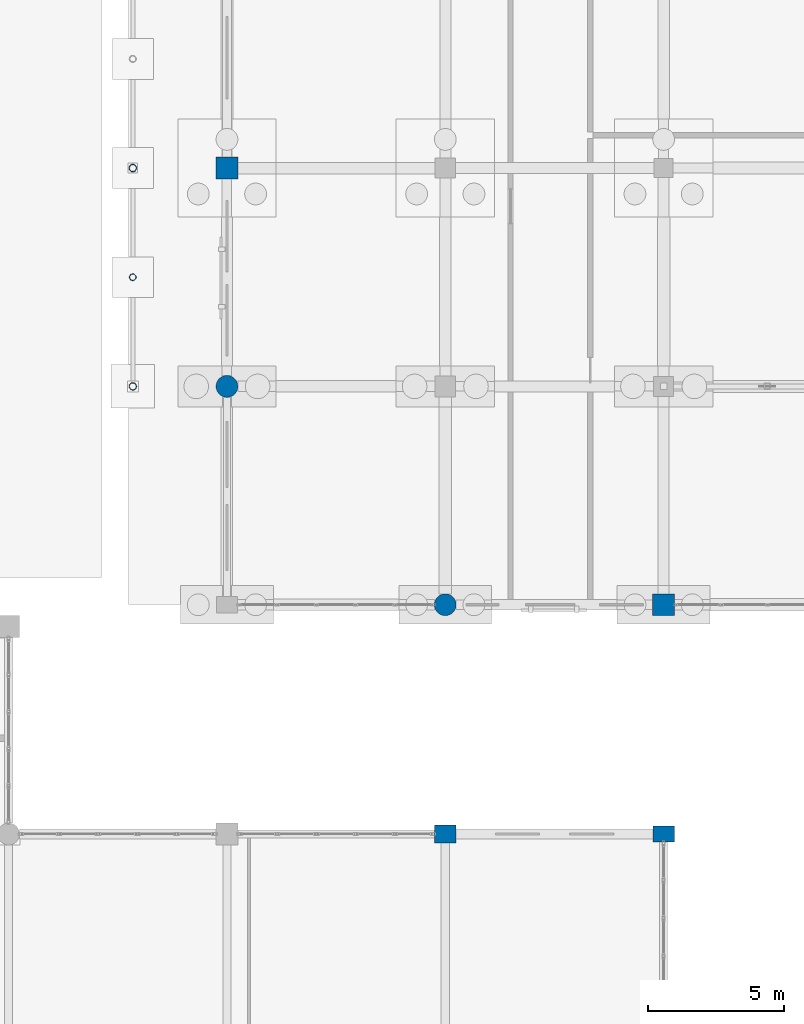
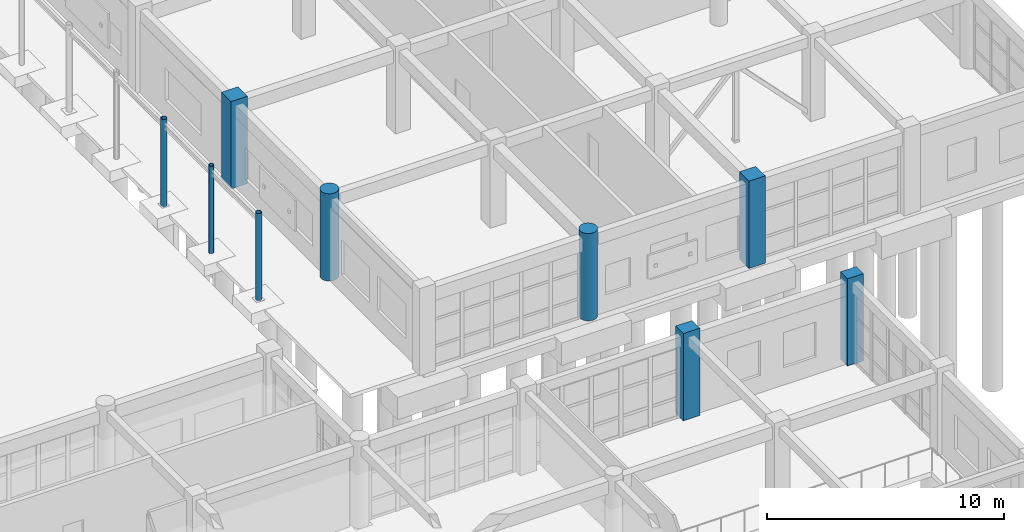
# One storey, part 42 of 166: 9 columns.
"""IFC4 building model written with IfcOpenShell, lengths in metres."""

from ifc_helpers import new_model, si_unit, direction, frame, origin, origin_2d, place, context, subcontext, project, spatial, rectangle, circle, hollow_circle, extrude, material, material_profile, profile_set, type_object, element, save


model = new_model("IFC4")

# Units and contexts
model_context = context("Model", 3, precision=1e-05, world=origin(), true_north=direction((0.0, 1.0)))
body_context = subcontext(model_context, "Body", "Model", "MODEL_VIEW")
ifc_project = project(units=[si_unit("LENGTHUNIT", "METRE"), si_unit("AREAUNIT", "SQUARE_METRE"), si_unit("VOLUMEUNIT", "CUBIC_METRE"), si_unit("PLANEANGLEUNIT", "RADIAN"), si_unit("MASSUNIT", "GRAM", prefix="KILO")], contexts=[model_context])

# Site, building, storey
site_placement = place(None, origin())
site = spatial("IfcSite", under=ifc_project, at=site_placement, CompositionType="ELEMENT")
building_placement = place(site_placement, origin())
building = spatial("IfcBuilding", under=site, at=building_placement, Name="Kharva Crest Polytechnic", CompositionType="ELEMENT")
storey_placement = place(building_placement, origin())
storey = spatial("IfcBuildingStorey", under=building, at=storey_placement, Name="L00", CompositionType="ELEMENT", Elevation=0.0)

# Columns
ifc_material_1 = material(Name="Concrete C40/50", Category="concrete")
ifc_material_profile_1 = material_profile(ifc_material_1, rectangle(XDim=0.780029296875, YDim=0.60009765625, at=origin_2d()), Name="RECT 780 X 600")
ifc_profile_set_1 = profile_set([ifc_material_profile_1], Name="Concrete C40/50")
column_type_1 = type_object("IfcColumnType", Name="COL-EXT-780X600", PredefinedType="COLUMN", material=ifc_profile_set_1)
column_1_placement = place(storey_placement, frame((168.800048828125, 30.39990234375, 0.0), z_axis=(0.0, 0.0, 1.0), x_axis=(1.0, 0.0, 0.0)))
element("IfcColumn", 1, at=column_1_placement, inside=storey, type_object=column_type_1, Name="L00 Column 22/E", PredefinedType="COLUMN", context=body_context, shape_type="SweptSolid", body=[
    extrude(rectangle(XDim=0.780029296875, YDim=0.60009765625, at=origin_2d()), origin(), (0.0, 0.0, 1.0), 4.5),
])
ifc_material_profile_2 = material_profile(ifc_material_1, rectangle(XDim=0.800048828125, YDim=0.64990234375, at=origin_2d()), Name="RECT 800 X 650")
ifc_profile_set_2 = profile_set([ifc_material_profile_2], Name="Concrete C40/50")
column_type_2 = type_object("IfcColumnType", Name="COL-EXT-800X650", PredefinedType="COLUMN", material=ifc_profile_set_2)
column_2_placement = place(storey_placement, frame((160.800048828125, 30.39990234375, 0.0), z_axis=(0.0, 0.0, 1.0), x_axis=(1.0, 0.0, 0.0)))
element("IfcColumn", 2, at=column_2_placement, inside=storey, type_object=column_type_2, Name="L00 Column 21/E", PredefinedType="COLUMN", context=body_context, shape_type="SweptSolid", body=[
    extrude(rectangle(XDim=0.800048828125, YDim=0.64990234375, at=origin_2d()), origin(), (0.0, 0.0, 1.0), 4.5),
])
ifc_material_profile_3 = material_profile(ifc_material_1, rectangle(XDim=0.800048828125, YDim=0.800048828125, at=origin_2d()), Name="RECT 800 X 800")
ifc_profile_set_3 = profile_set([ifc_material_profile_3], Name="Concrete C40/50")
column_type_3 = type_object("IfcColumnType", Name="COL-EXT-800X800", PredefinedType="COLUMN", material=ifc_profile_set_3)
for number, where, z_axis, x_axis, name in (
    (3, (152.800048828125, 54.800048828125, 0.0), (0.0, 0.0, 1.0), (1.0, 0.0, 0.0), "L00 Column 20/H"),
    (4, (168.800048828125, 38.800048828125, 0.0), (0.0, 0.0, 1.0), (1.0, 0.0, 0.0), "L00 Column 22/FJ"),
):
    element("IfcColumn", number, at=place(storey_placement, frame(where, z_axis=z_axis, x_axis=x_axis)), inside=storey, type_object=column_type_3, Name=name, PredefinedType="COLUMN", context=body_context, shape_type="SweptSolid", body=[
        extrude(rectangle(XDim=0.800048828125, YDim=0.800048828125, at=origin_2d()), origin(), (0.0, 0.0, 1.0), 4.5),
    ])
ifc_material_profile_4 = material_profile(ifc_material_1, circle(Radius=0.39990234375, at=origin_2d()), Name="DIA 800")
ifc_profile_set_4 = profile_set([ifc_material_profile_4], Name="Concrete C40/50")
column_type_4 = type_object("IfcColumnType", Name="COL-EXT-DIA800", PredefinedType="COLUMN", material=ifc_profile_set_4)
for number, where, z_axis, x_axis, name in (
    (5, (152.800048828125, 46.800048828125, 0.0), (0.0, 0.0, 1.0), (1.0, 0.0, 0.0), "L00 Column 20/G"),
    (6, (160.800048828125, 38.800048828125, 0.0), (0.0, 0.0, 1.0), (1.0, 0.0, 0.0), "L00 Column 21/FJ"),
):
    element("IfcColumn", number, at=place(storey_placement, frame(where, z_axis=z_axis, x_axis=x_axis)), inside=storey, type_object=column_type_4, Name=name, PredefinedType="COLUMN", context=body_context, shape_type="SweptSolid", body=[
        extrude(circle(Radius=0.39990234375, at=origin_2d()), origin(), (0.0, 0.0, 1.0), 4.5),
    ])
ifc_material_2 = material(Name="Steel S355", Category="steel")
ifc_material_profile_5 = material_profile(ifc_material_2, hollow_circle(Radius=0.122314453125, WallThickness=0.010009765625, at=origin_2d()), Name="CHS 244.5X10.0")
ifc_profile_set_5 = profile_set([ifc_material_profile_5], Name="Steel S355")
column_type_5 = type_object("IfcColumnType", Name="COL-STL-CHS244", PredefinedType="COLUMN", material=ifc_profile_set_5)
column_3_placement = place(storey_placement, frame((149.35009765625, 50.800048828125, 0.0), z_axis=(0.0, 0.0, 1.0), x_axis=(1.0, 0.0, 0.0)))
element("IfcColumn", 7, at=column_3_placement, inside=storey, type_object=column_type_5, Name="L00 Colonnade Mid Column VEM01", PredefinedType="COLUMN", context=body_context, shape_type="SweptSolid", body=[
    extrude(hollow_circle(Radius=0.122314453125, WallThickness=0.010009765625, at=origin_2d()), origin(), (0.0, 0.0, 1.0), 4.5),
])
ifc_material_profile_6 = material_profile(ifc_material_2, hollow_circle(Radius=0.136474609375, WallThickness=0.012451171875, at=origin_2d()), Name="CHS 273.0X12.5")
ifc_profile_set_6 = profile_set([ifc_material_profile_6], Name="Steel S355")
column_type_6 = type_object("IfcColumnType", Name="COL-STL-CHS273", PredefinedType="COLUMN", material=ifc_profile_set_6)
for number, where, z_axis, x_axis, name in (
    (8, (149.35009765625, 46.800048828125, 0.0), (0.0, 0.0, 1.0), (1.0, 0.0, 0.0), "L00 Colonnade Column VE01"),
    (9, (149.35009765625, 54.800048828125, 0.0), (0.0, 0.0, 1.0), (1.0, 0.0, 0.0), "L00 Colonnade Column VE02"),
):
    element("IfcColumn", number, at=place(storey_placement, frame(where, z_axis=z_axis, x_axis=x_axis)), inside=storey, type_object=column_type_6, Name=name, PredefinedType="COLUMN", context=body_context, shape_type="SweptSolid", body=[
        extrude(hollow_circle(Radius=0.136474609375, WallThickness=0.012451171875, at=origin_2d()), origin(), (0.0, 0.0, 1.0), 4.5),
    ])

save(model, "model.ifc")
